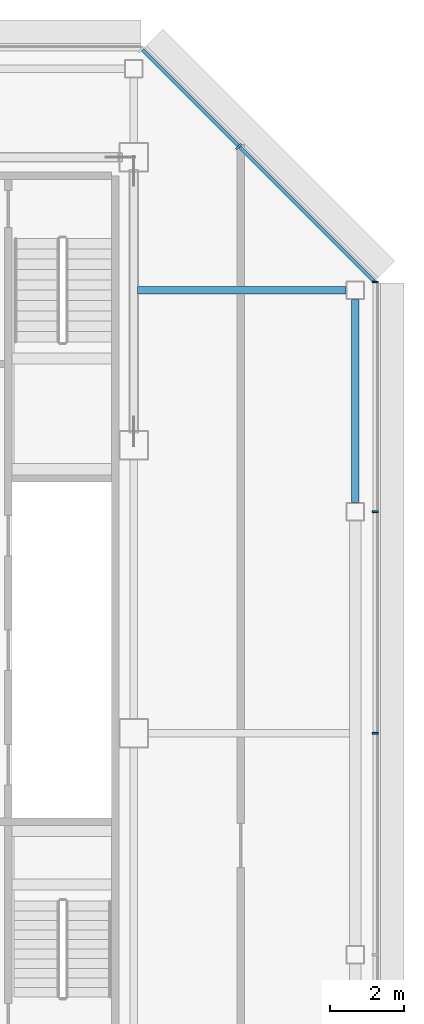
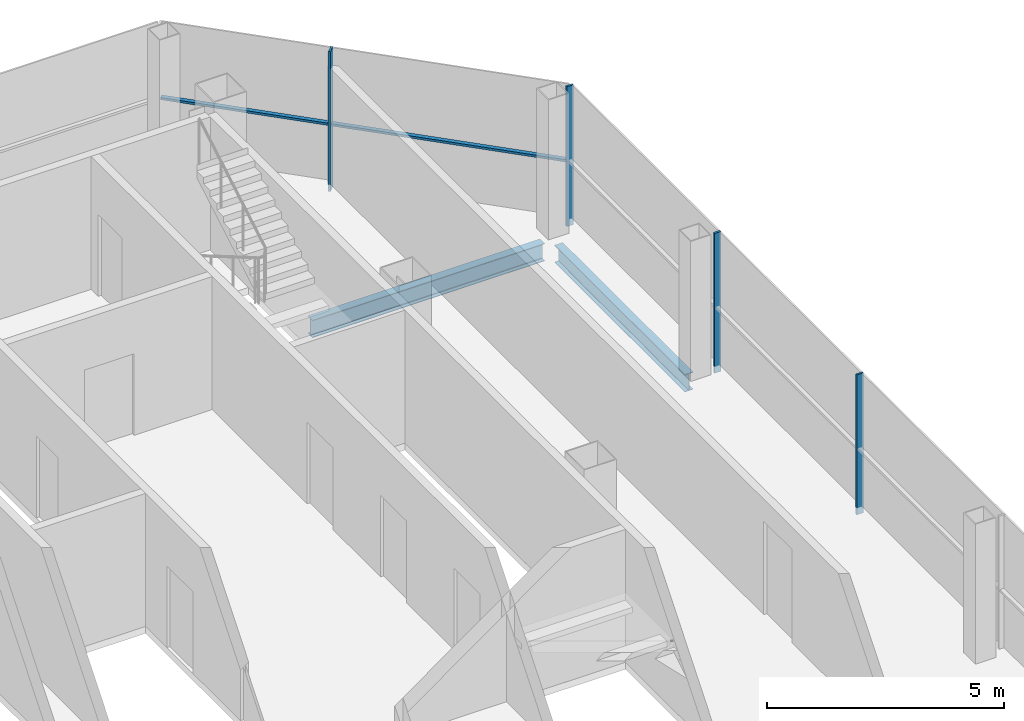
# One storey, part 19 of 28: 5 members, 2 beams, 2 elements without a shape of their own.
"""IFC4 building model written with IfcOpenShell, lengths in metres."""

from ifc_helpers import new_model, si_unit, direction, frame, origin, origin_2d, place, context, subcontext, project, spatial, rectangle, i_section, extrude, material, material_profile, profile_set, type_object, element, aggregate, save


model = new_model("IFC4")

# Units and contexts
model_context = context("Model", 3, precision=1e-05, world=origin(), true_north=direction((0.0, 1.0)))
body_context = subcontext(model_context, "Body", "Model", "MODEL_VIEW")
ifc_project = project(units=[si_unit("LENGTHUNIT", "METRE"), si_unit("AREAUNIT", "SQUARE_METRE"), si_unit("VOLUMEUNIT", "CUBIC_METRE"), si_unit("PLANEANGLEUNIT", "RADIAN"), si_unit("MASSUNIT", "GRAM", prefix="KILO")], contexts=[model_context])

# Site, building, storey
site_placement = place(None, origin())
site = spatial("IfcSite", under=ifc_project, at=site_placement, CompositionType="ELEMENT")
building_placement = place(site_placement, origin())
building = spatial("IfcBuilding", under=site, at=building_placement, Name="Sorahane Residences", CompositionType="ELEMENT")
storey_placement = place(building_placement, frame((0.0, 0.0, 305.199951171875)))
storey = spatial("IfcBuildingStorey", under=building, at=storey_placement, Name="L72", CompositionType="ELEMENT", Elevation=305.199951171875)

# Curtain wall, members
ifc_material_1 = material(Name="Dark low-e glass and black anodised aluminium", Category="aluminium")
curtain_wall_type_1 = type_object("IfcCurtainWallType", Name="Curtain wall CW-1 Typical unitised wall", PredefinedType="NOTDEFINED", material=ifc_material_1)
curtain_wall_1_placement = place(storey_placement, origin())
curtain_wall_1 = element("IfcCurtainWall", 1, at=curtain_wall_1_placement, inside=storey, type_object=curtain_wall_type_1, Name="CW-1 curtain wall L72 E1", PredefinedType="NOTDEFINED")
ifc_material_2 = material(Name="Black anodised aluminium", Category="aluminium")
ifc_material_profile_1 = material_profile(ifc_material_2, rectangle(XDim=0.159912109375, YDim=0.050048828125, at=origin_2d()), Name="Curtain wall mullion CW-1 black anodised aluminium 50x160")
ifc_profile_set_1 = profile_set([ifc_material_profile_1], Name="Black anodised aluminium")
member_type_1 = type_object("IfcMemberType", Name="Curtain wall mullion CW-1 black anodised aluminium 50x160", PredefinedType="MULLION", material=ifc_profile_set_1)
member_1_placement = place(storey_placement, frame((48.5400390625, 30.0, -0.179931640625), z_axis=(0.0, 0.0, 1.0), x_axis=(1.0, 0.0, 0.0)))
member_1 = element("IfcMember", 2, at=member_1_placement, type_object=member_type_1, Name="CW-1 mullion L72 E1.5", PredefinedType="MULLION", context=body_context, shape_type="SweptSolid", body=[
    extrude(rectangle(XDim=0.159912109375, YDim=0.050048828125, at=origin_2d()), origin(), (0.0, 0.0, 1.0), 3.60009765625),
])
member_2_placement = place(storey_placement, frame((48.5400390625, 36.0, -0.179931640625), z_axis=(0.0, 0.0, 1.0), x_axis=(1.0, 0.0, 0.0)))
member_2 = element("IfcMember", 3, at=member_2_placement, type_object=member_type_1, Name="CW-1 mullion L72 E1.6", PredefinedType="MULLION", context=body_context, shape_type="SweptSolid", body=[
    extrude(rectangle(XDim=0.159912109375, YDim=0.050048828125, at=origin_2d()), origin(), (0.0, 0.0, 1.0), 3.60009765625),
])
member_3_placement = place(storey_placement, frame((48.5400390625, 42.2236328125, -0.179931640625), z_axis=(0.0, 0.0, 1.0), x_axis=(1.0, 0.0, 0.0)))
member_3 = element("IfcMember", 4, at=member_3_placement, type_object=member_type_1, Name="CW-1 mullion L72 E1.7", PredefinedType="MULLION", context=body_context, shape_type="SweptSolid", body=[
    extrude(rectangle(XDim=0.159912109375, YDim=0.050048828125, at=origin_2d()), origin(), (0.0, 0.0, 1.0), 3.60009765625),
])
aggregate(curtain_wall_1, [member_1, member_2, member_3])

ifc_material_3 = material(Name="Dark low-e glass and black anodised aluminium", Category="aluminium")
curtain_wall_type_2 = type_object("IfcCurtainWallType", Name="Curtain wall CW-2 Chamfer unitised wall", PredefinedType="NOTDEFINED", material=ifc_material_3)
curtain_wall_2_placement = place(storey_placement, origin())
curtain_wall_2 = element("IfcCurtainWall", 5, at=curtain_wall_2_placement, inside=storey, type_object=curtain_wall_type_2, Name="CW-2 curtain wall L72 NE1", PredefinedType="NOTDEFINED")
ifc_material_4 = material(Name="Black anodised aluminium", Category="aluminium")
ifc_material_profile_2 = material_profile(ifc_material_4, rectangle(XDim=0.199951171875, YDim=0.050048828125, at=origin_2d()), Name="Curtain wall mullion CW-2 black anodised aluminium 50x200")
ifc_profile_set_2 = profile_set([ifc_material_profile_2], Name="Black anodised aluminium")
member_type_2 = type_object("IfcMemberType", Name="Curtain wall mullion CW-2 black anodised aluminium 50x200", PredefinedType="MULLION", material=ifc_profile_set_2)
member_4_placement = place(storey_placement, frame((44.84326171875, 45.89208984375, -0.179931640625), z_axis=(0.0, 0.0, 1.0), x_axis=(0.707106781187, 0.707106781187, 0.0)))
member_4 = element("IfcMember", 6, at=member_4_placement, type_object=member_type_2, Name="CW-2 mullion L72 NE1.2", PredefinedType="MULLION", context=body_context, shape_type="SweptSolid", body=[
    extrude(rectangle(XDim=0.199951171875, YDim=0.050048828125, at=origin_2d()), origin(), (0.0, 0.0, 1.0), 3.60009765625),
])
ifc_material_5 = material(Name="Black anodised aluminium", Category="aluminium")
ifc_material_profile_3 = material_profile(ifc_material_5, rectangle(XDim=0.10009765625, YDim=0.06005859375, at=origin_2d()), Name="Curtain wall transom CW-2 black anodised aluminium 60x100")
ifc_profile_set_3 = profile_set([ifc_material_profile_3], Name="Black anodised aluminium")
member_type_3 = type_object("IfcMemberType", Name="Curtain wall transom CW-2 black anodised aluminium 60x100", PredefinedType="USERDEFINED", material=ifc_profile_set_3)
member_5_placement = place(storey_placement, frame((48.51513671875, 42.234375, 1.5), z_axis=(-0.707106781187, 0.707106781187, 0.0), x_axis=(-0.707106781187, -0.707106781187, 0.0)))
member_5 = element("IfcMember", 7, at=member_5_placement, type_object=member_type_3, Name="CW-2 transom L72 NE1", ObjectType="TRANSOM", PredefinedType="USERDEFINED", context=body_context, shape_type="SweptSolid", body=[
    extrude(rectangle(XDim=0.10009765625, YDim=0.06005859375, at=origin_2d()), origin(), (0.0, 0.0, 1.0), 8.88232421875),
])
aggregate(curtain_wall_2, [member_4, member_5])

# Beams
ifc_material_6 = material(Name="Steel Q355B", Category="steel")
ifc_material_profile_4 = material_profile(ifc_material_6, i_section(OverallWidth=0.199951171875, OverallDepth=0.449951171875, WebThickness=0.009033203125, FlangeThickness=0.013916015625, FilletRadius=0.02001953125, at=origin_2d()), Name="HN 450x200x9x14")
ifc_profile_set_4 = profile_set([ifc_material_profile_4], Name="Steel Q355B")
beam_type = type_object("IfcBeamType", Name="Steel floor beam HN 450x200x9x14 Q355B", PredefinedType="BEAM", material=ifc_profile_set_4)
beam_1_placement = place(storey_placement, frame((48.0, 36.25, -0.405029296875), z_axis=(0.0, 1.0, 0.0), x_axis=(-1.0, 0.0, 0.0)))
element("IfcBeam", 8, at=beam_1_placement, inside=storey, type_object=beam_type, Name="Beam L72 065", PredefinedType="BEAM", context=body_context, shape_type="SweptSolid", body=[
    extrude(i_section(OverallWidth=0.199951171875, OverallDepth=0.449951171875, WebThickness=0.009033203125, FlangeThickness=0.013916015625, FilletRadius=0.02001953125, at=origin_2d()), origin(), (0.0, 0.0, 1.0), 5.5),
])
beam_2_placement = place(storey_placement, frame((42.10009765625, 42.0, -0.405029296875), z_axis=(1.0, 0.0, 0.0), x_axis=(0.0, 1.0, 0.0)))
element("IfcBeam", 9, at=beam_2_placement, inside=storey, type_object=beam_type, Name="Beam L72 090", PredefinedType="BEAM", context=body_context, shape_type="SweptSolid", body=[
    extrude(i_section(OverallWidth=0.199951171875, OverallDepth=0.449951171875, WebThickness=0.009033203125, FlangeThickness=0.013916015625, FilletRadius=0.02001953125, at=origin_2d()), origin(), (0.0, 0.0, 1.0), 5.64990234375),
])

save(model, "model.ifc")
